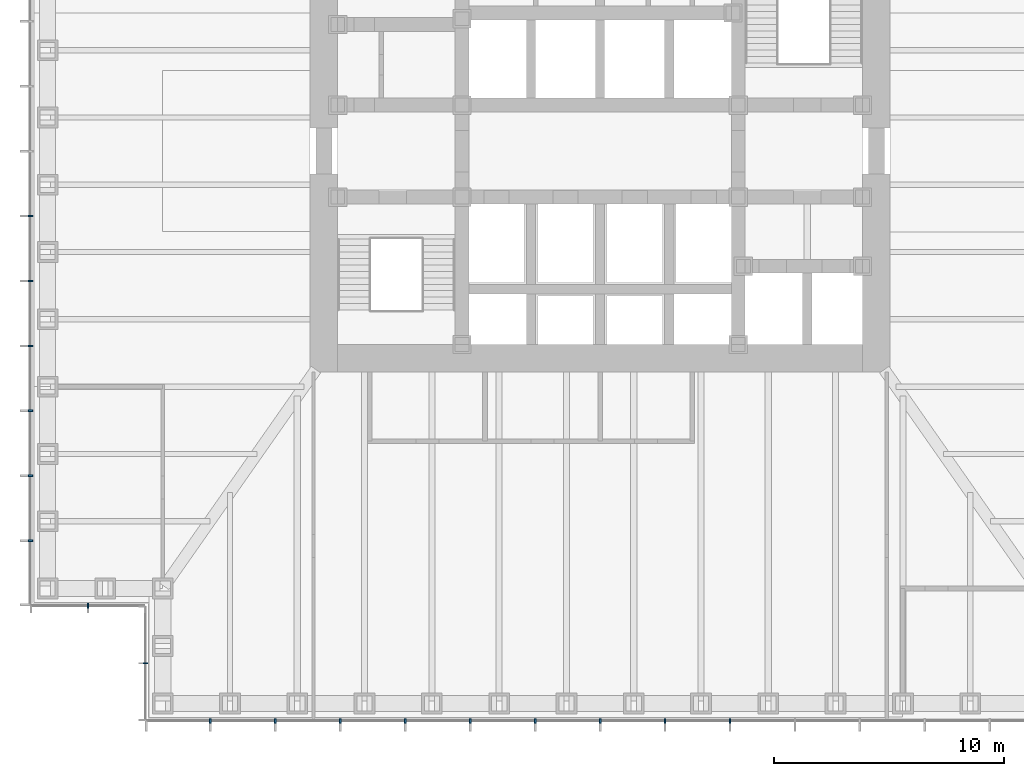
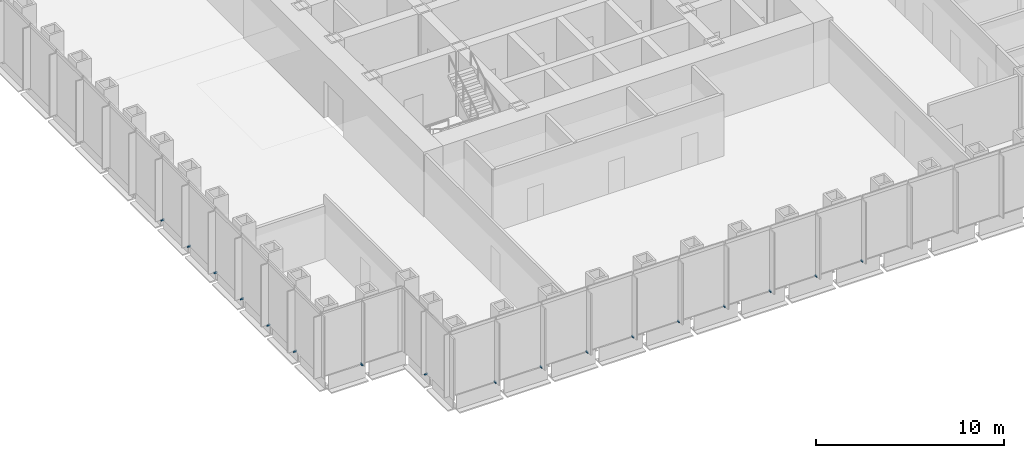
# One storey, part 11 of 16: 17 discrete accessories.
"""IFC4 building model written with IfcOpenShell, lengths in metres."""

import ifcopenshell
import ifcopenshell.guid

model = None  # the IFC model being written
_history = None  # IfcOwnerHistory: only IFC2X3 demands one
_inside = {}  # id of a spatial element -> (the spatial element, [elements in it])
_under = {}  # id of a project, library or spatial element -> (it, [spatial elements below it])
_declared = {}  # id of a project -> (the project, [libraries it declares])
_typed = {}  # id of a type object -> (the type object, [elements of that type])
_made_of = {}  # id of a material, layer set ... -> (it, [elements and type objects made of it])


def new_model(schema):
    """Start an empty IFC model of exactly this schema.

    Asked for "IFC4X3", IfcOpenShell would pick the latest addendum, in which some entities
    have other attributes; the version numbers below select the first issue.
    IFC2X3 requires an IfcOwnerHistory on every rooted entity: one is made here for all.
    """
    global model, _history
    if schema == "IFC4X3":
        model = ifcopenshell.file(schema_version=(4, 3, 0, 0))
    else:
        model = ifcopenshell.file(schema=schema)
    _inside.clear()
    _under.clear()
    _declared.clear()
    _typed.clear()
    _made_of.clear()
    _history = None
    if model.schema == "IFC2X3":
        org = make("IfcOrganization", Name="unknown")
        user = make(
            "IfcPersonAndOrganization",
            ThePerson=make("IfcPerson", FamilyName="unknown"),
            TheOrganization=org,
        )
        app = make(
            "IfcApplication",
            ApplicationDeveloper=org,
            Version="unknown",
            ApplicationFullName="unknown",
            ApplicationIdentifier="unknown",
        )
        _history = make(
            "IfcOwnerHistory",
            OwningUser=user,
            OwningApplication=app,
            ChangeAction="ADDED",
            CreationDate=0,
        )
    return model


def make(cls, **values):
    """One entity of the class cls with the attributes given. An attribute that is None is left unset."""
    return model.create_entity(
        cls, **{name: value for name, value in values.items() if value is not None}
    )


def rooted(cls, **values):
    """An entity with a GlobalId (a new one), such as an element, a storey or a relation."""
    return make(cls, GlobalId=ifcopenshell.guid.new(), OwnerHistory=_history, **values)


def si_unit(unit_type, name, prefix=None):
    """IfcSIUnit, for example si_unit("LENGTHUNIT", "METRE", prefix="MILLI")."""
    return make("IfcSIUnit", UnitType=unit_type, Prefix=prefix, Name=name)


def assignment(units):
    """IfcUnitAssignment: the units of a project."""
    return None if units is None else make("IfcUnitAssignment", Units=units)


def point(xyz):
    """IfcCartesianPoint."""
    return None if xyz is None else make("IfcCartesianPoint", Coordinates=xyz)


def direction(xyz):
    """IfcDirection."""
    return None if xyz is None else make("IfcDirection", DirectionRatios=xyz)


def frame(location, z_axis=None, x_axis=None):
    """IfcAxis2Placement3D, a coordinate frame: its origin and axes. An axis left out is left unset."""
    return make(
        "IfcAxis2Placement3D",
        Location=point(location),
        Axis=direction(z_axis),
        RefDirection=direction(x_axis),
    )


def frame_2d(location, x_axis=None):
    """IfcAxis2Placement2D, a coordinate frame in the plane: its origin and x axis."""
    return make(
        "IfcAxis2Placement2D", Location=point(location), RefDirection=direction(x_axis)
    )


def origin():
    """The frame at (0, 0, 0) with its axes left unset."""
    return frame((0.0, 0.0, 0.0))


def origin_2d():
    """The frame at (0, 0) in the plane with its x axis left unset."""
    return frame_2d((0.0, 0.0))


def place(relative_to, where):
    """IfcLocalPlacement: puts the frame where relative to a parent placement (None: the world)."""
    return make(
        "IfcLocalPlacement", PlacementRelTo=relative_to, RelativePlacement=where
    )


def context(
    kind, dimensions, precision=None, world=None, true_north=None, identifier=None
):
    """IfcGeometricRepresentationContext, for example the 3D "Model" context."""
    return make(
        "IfcGeometricRepresentationContext",
        ContextIdentifier=identifier,
        ContextType=kind,
        CoordinateSpaceDimension=dimensions,
        Precision=precision,
        WorldCoordinateSystem=world,
        TrueNorth=true_north,
    )


def subcontext(parent, identifier, kind, view, scale=None):
    """IfcGeometricRepresentationSubContext, for example "Body" below "Model"."""
    return make(
        "IfcGeometricRepresentationSubContext",
        ContextIdentifier=identifier,
        ContextType=kind,
        ParentContext=parent,
        TargetScale=scale,
        TargetView=view,
    )


def project(units=None, contexts=None):
    """IfcProject with its units and contexts."""
    return rooted(
        "IfcProject",
        Name="project",
        RepresentationContexts=contexts,
        UnitsInContext=assignment(units),
    )


def spatial(cls, under=None, at=None, **own):
    """A site, building, storey or space (cls), placed at a placement, below another one or the project."""
    s = rooted(cls, ObjectPlacement=at, **own)
    if under is not None:
        _under.setdefault(under.id(), (under, []))[1].append(s)
    return s


def profile(cls, at=None, kind="AREA", **sizes):
    """A parametric profile (cls). Its sizes go by their IFC names, for example OverallWidth=200.0."""
    return make(cls, ProfileType=kind, Position=at, **sizes)


def rectangle(**sizes):
    """IfcRectangleProfileDef."""
    return profile("IfcRectangleProfileDef", **sizes)


def extrude(swept, where, along, depth):
    """IfcExtrudedAreaSolid: the profile swept, set in the frame where, extruded along a direction by depth."""
    return make(
        "IfcExtrudedAreaSolid",
        SweptArea=swept,
        Position=where,
        ExtrudedDirection=direction(along),
        Depth=depth,
    )


def shape(context_of_items, identifier, shape_type, items):
    """IfcShapeRepresentation: the items that make up one representation, for example the "Body"."""
    return make(
        "IfcShapeRepresentation",
        ContextOfItems=context_of_items,
        RepresentationIdentifier=identifier,
        RepresentationType=shape_type,
        Items=items,
    )


def made_of(thing, what):
    """Note that an element or type object is made of a material, layer set ...; save() writes the relation."""
    if what is not None:
        _made_of.setdefault(what.id(), (what, []))[1].append(thing)
    return thing


def element(
    cls,
    number,
    at=None,
    inside=None,
    cuts=None,
    type_object=None,
    material=None,
    context=None,
    identifier="Body",
    shape_type=None,
    held_by="IfcProductDefinitionShape",
    body=None,
    shapes=None,
    **own,
):
    """One element of the class cls, such as IfcWall. Its Tag is "e" and its number.

    at: its placement. inside: the storey or other place that contains it. cuts: it is an
    opening in that element (IfcRelVoidsElement). A single representation is given by context,
    identifier, shape_type and body (its items); several are given by shapes. held_by: the class
    of the entity that holds the representations. save() writes the other relations.
    """
    e = rooted(cls, Tag="e%d" % number, ObjectPlacement=at, **own)
    if body is not None:
        shapes = [shape(context, identifier, shape_type, body)]
    if shapes is not None:
        e.Representation = make(held_by, Representations=shapes)
    if inside is not None:
        _inside.setdefault(inside.id(), (inside, []))[1].append(e)
    if cuts is not None:
        rooted(
            "IfcRelVoidsElement", RelatingBuildingElement=cuts, RelatedOpeningElement=e
        )
    if type_object is not None:
        _typed.setdefault(type_object.id(), (type_object, []))[1].append(e)
    return made_of(e, material)


def aggregate(whole, parts):
    """IfcRelAggregates: a whole, such as a stair, and the parts it consists of."""
    return rooted("IfcRelAggregates", RelatingObject=whole, RelatedObjects=parts)


def save(model, path):
    """Write the relations noted so far, then the file.

    IfcRelAggregates (storeys below a building ...), IfcRelContainedInSpatialStructure (elements
    in a storey), IfcRelDefinesByType, IfcRelAssociatesMaterial and IfcRelDeclares: one each for
    every whole, place, type object, material and project.
    """
    for whole, parts in _under.values():
        aggregate(whole, parts)
    for where, things in _inside.values():
        rooted(
            "IfcRelContainedInSpatialStructure",
            RelatedElements=things,
            RelatingStructure=where,
        )
    for kind, things in _typed.values():
        rooted("IfcRelDefinesByType", RelatedObjects=things, RelatingType=kind)
    for what, things in _made_of.values():
        rooted("IfcRelAssociatesMaterial", RelatedObjects=things, RelatingMaterial=what)
    for by, libraries in _declared.values():
        rooted("IfcRelDeclares", RelatingContext=by, RelatedDefinitions=libraries)
    model.write(path)


model = new_model("IFC4")

# Units and contexts
model_context = context("Model", 3, precision=1e-05, world=origin(), true_north=direction((0.0, 1.0)))
body_context = subcontext(model_context, "Body", "Model", "MODEL_VIEW")
ifc_project = project(units=[si_unit("LENGTHUNIT", "METRE"), si_unit("AREAUNIT", "SQUARE_METRE"), si_unit("VOLUMEUNIT", "CUBIC_METRE"), si_unit("PLANEANGLEUNIT", "RADIAN"), si_unit("MASSUNIT", "GRAM", prefix="KILO")], contexts=[model_context])

# Site, building, storey
site_placement = place(None, origin())
site = spatial("IfcSite", under=ifc_project, at=site_placement, CompositionType="ELEMENT")
building_placement = place(site_placement, origin())
building = spatial("IfcBuilding", under=site, at=building_placement, Name="Daluyong Arena Tower", CompositionType="ELEMENT")
storey_placement = place(building_placement, frame((0.0, 0.0, 72.699951171875)))
storey = spatial("IfcBuildingStorey", under=building, at=storey_placement, Name="L15", CompositionType="ELEMENT", Elevation=72.699951171875)

# Discrete accessories
for number, where, z_axis, x_axis, name in (
    (1, (39.071533203125, 55.25, -0.10009765625), (0.0, 0.0, 1.0), (1.0, 0.0, 0.0), "curtain wall L15 S anchor bracket 2"),
    (2, (41.892822265625, 55.25, -0.10009765625), (0.0, 0.0, 1.0), (1.0, 0.0, 0.0), "curtain wall L15 S anchor bracket 3"),
    (3, (44.71435546875, 55.25, -0.10009765625), (0.0, 0.0, 1.0), (1.0, 0.0, 0.0), "curtain wall L15 S anchor bracket 4"),
    (4, (47.53564453125, 55.25, -0.10009765625), (0.0, 0.0, 1.0), (1.0, 0.0, 0.0), "curtain wall L15 S anchor bracket 5"),
    (5, (50.357177734375, 55.25, -0.10009765625), (0.0, 0.0, 1.0), (1.0, 0.0, 0.0), "curtain wall L15 S anchor bracket 6"),
    (6, (53.178466796875, 55.25, -0.10009765625), (0.0, 0.0, 1.0), (1.0, 0.0, 0.0), "curtain wall L15 S anchor bracket 7"),
    (7, (56.0, 55.25, -0.10009765625), (0.0, 0.0, 1.0), (1.0, 0.0, 0.0), "curtain wall L15 S anchor bracket 8"),
    (8, (58.821533203125, 55.25, -0.10009765625), (0.0, 0.0, 1.0), (1.0, 0.0, 0.0), "curtain wall L15 S anchor bracket 9"),
    (9, (61.642822265625, 55.25, -0.10009765625), (0.0, 0.0, 1.0), (1.0, 0.0, 0.0), "curtain wall L15 S anchor bracket 10"),
    (10, (31.25, 77.178466796875, -0.10009765625), (0.0, 0.0, 1.0), (0.0, -1.0, 0.0), "curtain wall L15 W anchor bracket 9"),
    (11, (31.25, 74.357177734375, -0.10009765625), (0.0, 0.0, 1.0), (0.0, -1.0, 0.0), "curtain wall L15 W anchor bracket 10"),
    (12, (31.25, 71.53564453125, -0.10009765625), (0.0, 0.0, 1.0), (0.0, -1.0, 0.0), "curtain wall L15 W anchor bracket 11"),
    (13, (31.25, 68.71435546875, -0.10009765625), (0.0, 0.0, 1.0), (0.0, -1.0, 0.0), "curtain wall L15 W anchor bracket 12"),
    (14, (31.25, 65.892822265625, -0.10009765625), (0.0, 0.0, 1.0), (0.0, -1.0, 0.0), "curtain wall L15 W anchor bracket 13"),
    (15, (31.25, 63.071533203125, -0.10009765625), (0.0, 0.0, 1.0), (0.0, -1.0, 0.0), "curtain wall L15 W anchor bracket 14"),
):
    element("IfcDiscreteAccessory", number, at=place(storey_placement, frame(where, z_axis=z_axis, x_axis=x_axis)), inside=storey, Name=name, PredefinedType="BRACKET", context=body_context, shape_type="SweptSolid", body=[
        extrude(rectangle(XDim=0.080078125, YDim=0.199951171875, at=origin_2d()), origin(), (0.0, 0.0, 1.0), 0.10009765625),
    ])
for number, where, z_axis, x_axis, name in (
    (16, (33.75, 60.25, -0.10009765625), (0.0, 0.0, 1.0), (1.0, 0.0, 0.0), "curtain wall L15 SW-S anchor bracket 2"),
    (17, (36.25, 57.75, -0.10009765625), (0.0, 0.0, 1.0), (0.0, -1.0, 0.0), "curtain wall L15 SW-W anchor bracket 2"),
):
    element("IfcDiscreteAccessory", number, at=place(storey_placement, frame(where, z_axis=z_axis, x_axis=x_axis)), inside=storey, Name=name, PredefinedType="BRACKET", context=body_context, shape_type="SweptSolid", body=[
        extrude(rectangle(XDim=0.06005859375, YDim=0.199951171875, at=origin_2d()), origin(), (0.0, 0.0, 1.0), 0.10009765625),
    ])

save(model, "model.ifc")
